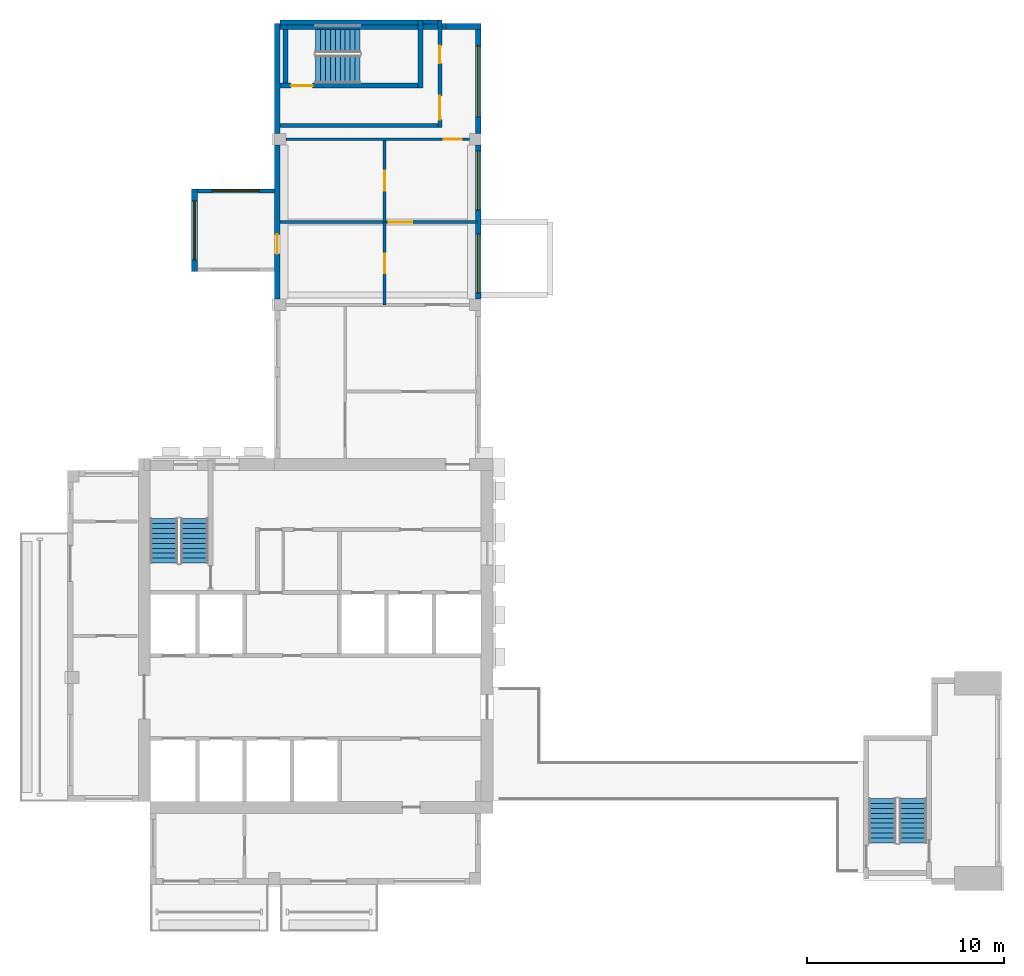
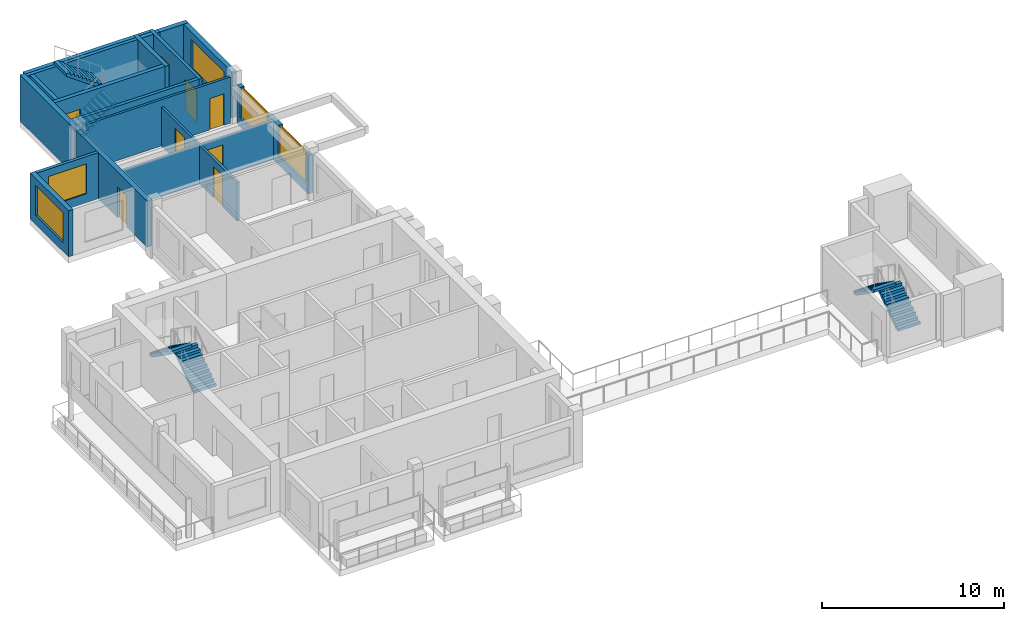
# One storey, part 4 of 8: 19 walls, 8 doors, 6 stair flights, 5 windows, 13 openings, 3 elements without a shape of their own.
"""IFC4 building model written with IfcOpenShell, lengths in metres."""

from ifc_helpers import new_model, si_unit, direction, frame, frame_2d, origin, place, context, subcontext, project, spatial, polyline, rectangle, outline, extrude, source, transform, mapped, material, layer, layer_set, type_object, element, fill, aggregate, save


model = new_model("IFC4")

# Units and contexts
model_context = context("Model", 3, precision=1e-05, world=origin(), true_north=direction((0.0, 1.0)))
body_context = subcontext(model_context, "Body", "Model", "MODEL_VIEW")
ifc_project = project(units=[si_unit("LENGTHUNIT", "METRE"), si_unit("AREAUNIT", "SQUARE_METRE"), si_unit("VOLUMEUNIT", "CUBIC_METRE"), si_unit("PLANEANGLEUNIT", "RADIAN"), si_unit("MASSUNIT", "GRAM", prefix="KILO")], contexts=[model_context])

# Site, building, storey
site_placement = place(None, origin())
site = spatial("IfcSite", under=ifc_project, at=site_placement, CompositionType="ELEMENT")
building_placement = place(site_placement, origin())
building = spatial("IfcBuilding", under=site, at=building_placement, Name="Aurelian Terraces", CompositionType="ELEMENT")
storey_placement = place(building_placement, frame((0.0, 0.0, 347.5)))
storey = spatial("IfcBuildingStorey", under=building, at=storey_placement, Name="L82", CompositionType="ELEMENT", Elevation=347.5)

# Wall, opening, window
ifc_material_1 = material(Name="Concrete fc' 40 MPa", Category="concrete")
ifc_layer_1 = layer(ifc_material_1, 0.2)
ifc_layer_set_1 = layer_set([ifc_layer_1], Name="BOX BEARING WALL 200")
wall_type_1 = type_object("IfcWallType", Name="BOX BEARING WALL 200", PredefinedType="SOLIDWALL", material=ifc_layer_set_1)
shared_shape_1 = source(origin(), body_context, "Body", "SweptSolid", [
    extrude(rectangle(XDim=3.9, YDim=0.2, at=frame_2d((1.95, 0.0))), origin(), (0.0, 0.0, 1.0), 3.09),
])
wall_1_placement = place(storey_placement, frame((10.5, 35.18, 0.0), z_axis=(0.0, 0.0, 1.0), x_axis=(-1.0, 0.0, 0.0)))
wall_1 = element("IfcWall", 1, at=wall_1_placement, inside=storey, type_object=wall_type_1, Name="Box return L82 J95.1", PredefinedType="SOLIDWALL", context=body_context, shape_type="MappedRepresentation", body=[
    mapped(shared_shape_1, transform((0.0, 0.0, 0.0), scale=1.0)),
])
shared_shape_2 = source(origin(), body_context, "Body", "SweptSolid", [
    extrude(rectangle(XDim=2.4, YDim=2.0, at=frame_2d((1.2, 1.0))), frame((0.0, 0.11, 0.0), z_axis=(0.0, -1.0, 0.0), x_axis=(1.0, 0.0, 0.0)), (0.0, 0.0, 1.0), 0.22),
])
opening_1_placement = place(wall_1_placement, frame((0.75, 0.0, 0.6)))
opening_1 = element("IfcOpeningElement", 2, at=opening_1_placement, cuts=wall_1, Name="Opening W2420", PredefinedType="OPENING", context=body_context, shape_type="MappedRepresentation", body=[
    mapped(shared_shape_2, transform((0.0, 0.0, 0.0), scale=1.0)),
])
ifc_material_2 = material(Name="Clear glazing", Category="glass")
window_type_1 = type_object("IfcWindowType", Name="W-2400x2000", PartitioningType="SINGLE_PANEL", PredefinedType="WINDOW", material=ifc_material_2)
shared_shape_3 = source(origin(), body_context, "Body", "SweptSolid", [
    extrude(rectangle(XDim=2.4, YDim=2.0, at=frame_2d((1.2, 1.0))), frame((0.0, 0.03, 0.0), z_axis=(0.0, -1.0, 0.0), x_axis=(1.0, 0.0, 0.0)), (0.0, 0.0, 1.0), 0.06),
])
window_1_placement = place(opening_1_placement, origin())
window_1 = element("IfcWindow", 3, at=window_1_placement, inside=storey, type_object=window_type_1, Name="Window L82 J95-S1", OverallHeight=2.0, OverallWidth=2.4, PartitioningType="SINGLE_PANEL", PredefinedType="WINDOW", context=body_context, shape_type="MappedRepresentation", body=[
    mapped(shared_shape_3, transform((0.0, 0.0, 0.0), scale=1.0)),
])
fill(opening_1, window_1)

# Walls
ifc_material_3 = material(Name="Terracotta rainscreen cladding", Category="masonry")
ifc_layer_2 = layer(ifc_material_3, 0.3)
ifc_layer_set_2 = layer_set([ifc_layer_2], Name="EW-300")
wall_type_2 = type_object("IfcWallType", Name="EW-300", PredefinedType="STANDARD", material=ifc_layer_set_2)
shared_shape_4 = source(origin(), body_context, "Body", "SweptSolid", [
    extrude(rectangle(XDim=1.8, YDim=0.3, at=frame_2d((0.9, 0.0))), origin(), (0.0, 0.0, 1.0), 3.1),
])
wall_2_placement = place(storey_placement, frame((21.0, 43.53, 0.0), z_axis=(0.0, 0.0, 1.0), x_axis=(-1.0, 0.0, 0.0)))
element("IfcWall", 4, at=wall_2_placement, inside=storey, type_object=wall_type_2, Name="External wall L82 F03.10", PredefinedType="STANDARD", context=body_context, shape_type="MappedRepresentation", body=[
    mapped(shared_shape_4, transform((0.0, 0.0, 0.0), scale=1.0)),
])
ifc_layer_3 = layer(ifc_material_1, 0.3)
ifc_layer_set_3 = layer_set([ifc_layer_3], Name="STAIR BAY WALL 300")
wall_type_3 = type_object("IfcWallType", Name="STAIR BAY WALL 300", PredefinedType="SOLIDWALL", material=ifc_layer_set_3)
shared_shape_5 = source(origin(), body_context, "Body", "SweptSolid", [
    extrude(rectangle(XDim=8.6, YDim=0.3, at=frame_2d((4.3, 0.0))), origin(), (0.0, 0.0, 1.0), 3.1),
])
wall_3_placement = place(storey_placement, frame((19.2, 43.53, 0.0), z_axis=(0.0, 0.0, 1.0), x_axis=(-1.0, 0.0, 0.0)))
element("IfcWall", 5, at=wall_3_placement, inside=storey, type_object=wall_type_3, Name="Stair bay wall L82 F03.10", PredefinedType="SOLIDWALL", context=body_context, shape_type="MappedRepresentation", body=[
    mapped(shared_shape_5, transform((0.0, 0.0, 0.0), scale=1.0)),
])

# Wall, opening, door
shared_shape_6 = source(origin(), body_context, "Body", "SweptSolid", [
    extrude(rectangle(XDim=7.8, YDim=0.3, at=frame_2d((3.9, 0.0))), origin(), (0.0, 0.0, 1.0), 3.1),
])
wall_4_placement = place(storey_placement, frame((10.65, 37.5, 0.0), z_axis=(0.0, 0.0, 1.0), x_axis=(0.0, -1.0, 0.0)))
wall_4 = element("IfcWall", 6, at=wall_4_placement, inside=storey, type_object=wall_type_2, Name="External wall L82 F04.11", PredefinedType="STANDARD", context=body_context, shape_type="MappedRepresentation", body=[
    mapped(shared_shape_6, transform((0.0, 0.0, 0.0), scale=1.0)),
])
shared_shape_7 = source(origin(), body_context, "Body", "SweptSolid", [
    extrude(rectangle(XDim=1.0, YDim=2.1, at=frame_2d((0.5, 1.05))), frame((0.0, 0.16, 0.0), z_axis=(0.0, -1.0, 0.0), x_axis=(1.0, 0.0, 0.0)), (0.0, 0.0, 1.0), 0.32),
])
opening_2_placement = place(wall_4_placement, frame((4.52, 0.0, 0.0)))
opening_2 = element("IfcOpeningElement", 7, at=opening_2_placement, cuts=wall_4, Name="Opening 882001", PredefinedType="OPENING", context=body_context, shape_type="MappedRepresentation", body=[
    mapped(shared_shape_7, transform((0.0, 0.0, 0.0), scale=1.0)),
])
ifc_material_4 = material(Name="Timber door leaf", Category="wood")
door_type_1 = type_object("IfcDoorType", Name="Room door 1000x2100 left", OperationType="SINGLE_SWING_LEFT", PredefinedType="DOOR", material=ifc_material_4)
shared_shape_8 = source(origin(), body_context, "Body", "SweptSolid", [
    extrude(rectangle(XDim=1.0, YDim=2.1, at=frame_2d((0.5, 1.05))), frame((0.0, 0.025, 0.0), z_axis=(0.0, -1.0, 0.0), x_axis=(1.0, 0.0, 0.0)), (0.0, 0.0, 1.0), 0.05),
])
door_1_placement = place(opening_2_placement, origin())
door_1 = element("IfcDoor", 8, at=door_1_placement, inside=storey, type_object=door_type_1, Name="Door 882001", OperationType="SINGLE_SWING_LEFT", OverallHeight=2.1, OverallWidth=1.0, PredefinedType="DOOR", context=body_context, shape_type="MappedRepresentation", body=[
    mapped(shared_shape_8, transform((0.0, 0.0, 0.0), scale=1.0)),
])
fill(opening_2, door_1)

# Wall, openings, windows
shared_shape_9 = source(origin(), body_context, "Body", "SweptSolid", [
    extrude(rectangle(XDim=7.8, YDim=0.3, at=frame_2d((3.9, 0.0))), origin(), (0.0, 0.0, 1.0), 2.6),
])
wall_5_placement = place(storey_placement, frame((20.85, 29.7, 0.0), z_axis=(0.0, 0.0, 1.0), x_axis=(0.0, 1.0, 0.0)))
wall_5 = element("IfcWall", 9, at=wall_5_placement, inside=storey, type_object=wall_type_2, Name="External wall L82 F02.8", PredefinedType="STANDARD", context=body_context, shape_type="MappedRepresentation", body=[
    mapped(shared_shape_9, transform((0.0, 0.0, 0.0), scale=1.0)),
])
shared_shape_10 = source(origin(), body_context, "Body", "SweptSolid", [
    extrude(rectangle(XDim=3.0, YDim=2.0, at=frame_2d((1.5, 1.0))), frame((0.0, 0.16, 0.0), z_axis=(0.0, -1.0, 0.0), x_axis=(1.0, 0.0, 0.0)), (0.0, 0.0, 1.0), 0.32),
])
opening_3_placement = place(wall_5_placement, frame((0.3, 0.0, 0.6)))
opening_3 = element("IfcOpeningElement", 10, at=opening_3_placement, cuts=wall_5, Name="Opening W3020", PredefinedType="OPENING", context=body_context, shape_type="MappedRepresentation", body=[
    mapped(shared_shape_10, transform((0.0, 0.0, 0.0), scale=1.0)),
])
opening_4_placement = place(wall_5_placement, frame((4.5, 0.0, 0.6)))
opening_4 = element("IfcOpeningElement", 11, at=opening_4_placement, cuts=wall_5, Name="Opening W3020", PredefinedType="OPENING", context=body_context, shape_type="MappedRepresentation", body=[
    mapped(shared_shape_10, transform((0.0, 0.0, 0.0), scale=1.0)),
])
window_type_2 = type_object("IfcWindowType", Name="W-3000x2000", PartitioningType="SINGLE_PANEL", PredefinedType="WINDOW", material=ifc_material_2)
shared_shape_11 = source(origin(), body_context, "Body", "SweptSolid", [
    extrude(rectangle(XDim=3.0, YDim=2.0, at=frame_2d((1.5, 1.0))), frame((0.0, 0.03, 0.0), z_axis=(0.0, -1.0, 0.0), x_axis=(1.0, 0.0, 0.0)), (0.0, 0.0, 1.0), 0.06),
])
window_2_placement = place(opening_3_placement, origin())
window_2 = element("IfcWindow", 12, at=window_2_placement, inside=storey, type_object=window_type_2, Name="Window L82 L82-F02-08-0", OverallHeight=2.0, OverallWidth=3.0, PartitioningType="SINGLE_PANEL", PredefinedType="WINDOW", context=body_context, shape_type="MappedRepresentation", body=[
    mapped(shared_shape_11, transform((0.0, 0.0, 0.0), scale=1.0)),
])
fill(opening_3, window_2)
window_3_placement = place(opening_4_placement, origin())
window_3 = element("IfcWindow", 13, at=window_3_placement, inside=storey, type_object=window_type_2, Name="Window L82 L82-F02-08-1", OverallHeight=2.0, OverallWidth=3.0, PartitioningType="SINGLE_PANEL", PredefinedType="WINDOW", context=body_context, shape_type="MappedRepresentation", body=[
    mapped(shared_shape_11, transform((0.0, 0.0, 0.0), scale=1.0)),
])
fill(opening_4, window_3)

# Wall, opening, window
shared_shape_12 = source(origin(), body_context, "Body", "SweptSolid", [
    extrude(rectangle(XDim=5.58, YDim=0.3, at=frame_2d((2.79, 0.0))), origin(), (0.0, 0.0, 1.0), 3.1),
])
wall_6_placement = place(storey_placement, frame((20.85, 38.1, 0.0), z_axis=(0.0, 0.0, 1.0), x_axis=(0.0, 1.0, 0.0)))
wall_6 = element("IfcWall", 14, at=wall_6_placement, inside=storey, type_object=wall_type_2, Name="External wall L82 F02.9", PredefinedType="STANDARD", context=body_context, shape_type="MappedRepresentation", body=[
    mapped(shared_shape_12, transform((0.0, 0.0, 0.0), scale=1.0)),
])
shared_shape_13 = source(origin(), body_context, "Body", "SweptSolid", [
    extrude(rectangle(XDim=3.6, YDim=2.0, at=frame_2d((1.8, 1.0))), frame((0.0, 0.16, 0.0), z_axis=(0.0, -1.0, 0.0), x_axis=(1.0, 0.0, 0.0)), (0.0, 0.0, 1.0), 0.32),
])
opening_5_placement = place(wall_6_placement, frame((0.84, 0.0, 0.6)))
opening_5 = element("IfcOpeningElement", 15, at=opening_5_placement, cuts=wall_6, Name="Opening W3620", PredefinedType="OPENING", context=body_context, shape_type="MappedRepresentation", body=[
    mapped(shared_shape_13, transform((0.0, 0.0, 0.0), scale=1.0)),
])
window_type_3 = type_object("IfcWindowType", Name="W-3600x2000", PartitioningType="SINGLE_PANEL", PredefinedType="WINDOW", material=ifc_material_2)
shared_shape_14 = source(origin(), body_context, "Body", "SweptSolid", [
    extrude(rectangle(XDim=3.6, YDim=2.0, at=frame_2d((1.8, 1.0))), frame((0.0, 0.03, 0.0), z_axis=(0.0, -1.0, 0.0), x_axis=(1.0, 0.0, 0.0)), (0.0, 0.0, 1.0), 0.06),
])
window_4_placement = place(opening_5_placement, origin())
window_4 = element("IfcWindow", 16, at=window_4_placement, inside=storey, type_object=window_type_3, Name="Window L82 L82-F02-09-0", OverallHeight=2.0, OverallWidth=3.6, PartitioningType="SINGLE_PANEL", PredefinedType="WINDOW", context=body_context, shape_type="MappedRepresentation", body=[
    mapped(shared_shape_14, transform((0.0, 0.0, 0.0), scale=1.0)),
])
fill(opening_5, window_4)

# Wall
shared_shape_15 = source(origin(), body_context, "Body", "SweptSolid", [
    extrude(rectangle(XDim=5.58, YDim=0.3, at=frame_2d((2.79, 0.0))), origin(), (0.0, 0.0, 1.0), 3.1),
])
wall_7_placement = place(storey_placement, frame((10.65, 43.68, 0.0), z_axis=(0.0, 0.0, 1.0), x_axis=(0.0, -1.0, 0.0)))
element("IfcWall", 17, at=wall_7_placement, inside=storey, type_object=wall_type_3, Name="Stair bay wall L82 F04.11", PredefinedType="SOLIDWALL", context=body_context, shape_type="MappedRepresentation", body=[
    mapped(shared_shape_15, transform((0.0, 0.0, 0.0), scale=1.0)),
])

# Wall, opening, window
ifc_layer_4 = layer(ifc_material_1, 0.3)
ifc_layer_set_4 = layer_set([ifc_layer_4], Name="BOX BEARING WALL 300")
wall_type_4 = type_object("IfcWallType", Name="BOX BEARING WALL 300", PredefinedType="SOLIDWALL", material=ifc_layer_set_4)
shared_shape_16 = source(origin(), body_context, "Body", "SweptSolid", [
    extrude(rectangle(XDim=4.2, YDim=0.3, at=frame_2d((2.1, 0.0))), origin(), (0.0, 0.0, 1.0), 3.09),
])
wall_8_placement = place(storey_placement, frame((6.45, 35.28, 0.0), z_axis=(0.0, 0.0, 1.0), x_axis=(0.0, -1.0, 0.0)))
wall_8 = element("IfcWall", 18, at=wall_8_placement, inside=storey, type_object=wall_type_4, Name="Box wall L82 J95", PredefinedType="SOLIDWALL", context=body_context, shape_type="MappedRepresentation", body=[
    mapped(shared_shape_16, transform((0.0, 0.0, 0.0), scale=1.0)),
])
opening_6_placement = place(wall_8_placement, frame((0.6, 0.0, 0.6)))
opening_6 = element("IfcOpeningElement", 19, at=opening_6_placement, cuts=wall_8, Name="Opening W3020", PredefinedType="OPENING", context=body_context, shape_type="MappedRepresentation", body=[
    mapped(shared_shape_10, transform((0.0, 0.0, 0.0), scale=1.0)),
])
window_5_placement = place(opening_6_placement, origin())
window_5 = element("IfcWindow", 20, at=window_5_placement, inside=storey, type_object=window_type_2, Name="Window L82 J95-F1", OverallHeight=2.0, OverallWidth=3.0, PartitioningType="SINGLE_PANEL", PredefinedType="WINDOW", context=body_context, shape_type="MappedRepresentation", body=[
    mapped(shared_shape_11, transform((0.0, 0.0, 0.0), scale=1.0)),
])
fill(opening_6, window_5)

# Wall, opening, door
ifc_layer_5 = layer(ifc_material_1, 0.25)
ifc_layer_set_5 = layer_set([ifc_layer_5], Name="Stair enclosure wall 250")
wall_type_5 = type_object("IfcWallType", Name="Stair enclosure wall 250", PredefinedType="SOLIDWALL", material=ifc_layer_set_5)
shared_shape_17 = source(origin(), body_context, "Body", "SweptSolid", [
    extrude(rectangle(XDim=7.0, YDim=0.25, at=frame_2d((3.5, 0.0))), origin(), (0.0, 0.0, 1.0), 3.1),
])
wall_9_placement = place(storey_placement, frame((10.8, 40.525, 0.0), z_axis=(0.0, 0.0, 1.0), x_axis=(1.0, 0.0, 0.0)))
wall_9 = element("IfcWall", 21, at=wall_9_placement, inside=storey, type_object=wall_type_5, Name="L82 core wall ST-S3U-W", PredefinedType="SOLIDWALL", context=body_context, shape_type="MappedRepresentation", body=[
    mapped(shared_shape_17, transform((0.0, 0.0, 0.0), scale=1.0)),
])
shared_shape_18 = source(origin(), body_context, "Body", "SweptSolid", [
    extrude(rectangle(XDim=1.1, YDim=2.1, at=frame_2d((0.55, 1.05))), frame((0.0, 0.135, 0.0), z_axis=(0.0, -1.0, 0.0), x_axis=(1.0, 0.0, 0.0)), (0.0, 0.0, 1.0), 0.27),
])
opening_7_placement = place(wall_9_placement, frame((0.55, 0.0, 0.0)))
opening_7 = element("IfcOpeningElement", 22, at=opening_7_placement, cuts=wall_9, Name="Opening 68518", PredefinedType="OPENING", context=body_context, shape_type="MappedRepresentation", body=[
    mapped(shared_shape_18, transform((0.0, 0.0, 0.0), scale=1.0)),
])
ifc_material_5 = material(Name="Steel door leaf", Category="steel")
door_type_2 = type_object("IfcDoorType", Name="Core fire door 1100x2100 right", OperationType="SINGLE_SWING_RIGHT", PredefinedType="DOOR", material=ifc_material_5)
shared_shape_19 = source(origin(), body_context, "Body", "SweptSolid", [
    extrude(rectangle(XDim=1.1, YDim=2.1, at=frame_2d((0.55, 1.05))), frame((0.0, 0.025, 0.0), z_axis=(0.0, -1.0, 0.0), x_axis=(1.0, 0.0, 0.0)), (0.0, 0.0, 1.0), 0.05),
])
door_2_placement = place(opening_7_placement, origin())
door_2 = element("IfcDoor", 23, at=door_2_placement, inside=storey, type_object=door_type_2, Name="Stair door 68518", OperationType="SINGLE_SWING_RIGHT", OverallHeight=2.1, OverallWidth=1.1, PredefinedType="DOOR", context=body_context, shape_type="MappedRepresentation", body=[
    mapped(shared_shape_19, transform((0.0, 0.0, 0.0), scale=1.0)),
])
fill(opening_7, door_2)

# Walls
wall_10_placement = place(storey_placement, frame((10.8, 43.725, 0.0), z_axis=(0.0, 0.0, 1.0), x_axis=(1.0, 0.0, 0.0)))
element("IfcWall", 24, at=wall_10_placement, inside=storey, type_object=wall_type_5, Name="L82 core wall ST-S3U-E", PredefinedType="SOLIDWALL", context=body_context, shape_type="MappedRepresentation", body=[
    mapped(shared_shape_17, transform((0.0, 0.0, 0.0), scale=1.0)),
])
shared_shape_20 = source(origin(), body_context, "Body", "SweptSolid", [
    extrude(rectangle(XDim=3.45, YDim=0.25, at=frame_2d((1.725, 0.0))), origin(), (0.0, 0.0, 1.0), 3.1),
])
wall_11_placement = place(storey_placement, frame((17.925, 40.4, 0.0), z_axis=(0.0, 0.0, 1.0), x_axis=(0.0, 1.0, 0.0)))
element("IfcWall", 25, at=wall_11_placement, inside=storey, type_object=wall_type_5, Name="L82 core wall ST-S3U-N", PredefinedType="SOLIDWALL", context=body_context, shape_type="MappedRepresentation", body=[
    mapped(shared_shape_20, transform((0.0, 0.0, 0.0), scale=1.0)),
])
ifc_material_6 = material(Name="Gypsum board on steel studs", Category="steel")
ifc_layer_6 = layer(ifc_material_6, 0.2)
ifc_layer_set_6 = layer_set([ifc_layer_6], Name="Core partition 200")
wall_type_6 = type_object("IfcWallType", Name="Core partition 200", PredefinedType="PARTITIONING", material=ifc_layer_set_6)
shared_shape_21 = source(origin(), body_context, "Body", "SweptSolid", [
    extrude(rectangle(XDim=8.0, YDim=0.2, at=frame_2d((4.0, 0.0))), origin(), (0.0, 0.0, 1.0), 3.1),
])
wall_12_placement = place(storey_placement, frame((10.8, 38.5, 0.0), z_axis=(0.0, 0.0, 1.0), x_axis=(1.0, 0.0, 0.0)))
element("IfcWall", 26, at=wall_12_placement, inside=storey, type_object=wall_type_6, Name="L82 core wall ST-S3U-VW", PredefinedType="PARTITIONING", context=body_context, shape_type="MappedRepresentation", body=[
    mapped(shared_shape_21, transform((0.0, 0.0, 0.0), scale=1.0)),
])

# Wall, openings, doors
shared_shape_22 = source(origin(), body_context, "Body", "SweptSolid", [
    extrude(rectangle(XDim=5.45, YDim=0.2, at=frame_2d((2.725, 0.0))), origin(), (0.0, 0.0, 1.0), 3.1),
])
wall_13_placement = place(storey_placement, frame((18.9, 38.4, 0.0), z_axis=(0.0, 0.0, 1.0), x_axis=(0.0, 1.0, 0.0)))
wall_13 = element("IfcWall", 27, at=wall_13_placement, inside=storey, type_object=wall_type_6, Name="L82 core wall ST-S3U-BN", PredefinedType="PARTITIONING", context=body_context, shape_type="MappedRepresentation", body=[
    mapped(shared_shape_22, transform((0.0, 0.0, 0.0), scale=1.0)),
])
shared_shape_23 = source(origin(), body_context, "Body", "SweptSolid", [
    extrude(rectangle(XDim=1.2, YDim=2.1, at=frame_2d((0.6, 1.05))), frame((0.0, 0.11, 0.0), z_axis=(0.0, -1.0, 0.0), x_axis=(1.0, 0.0, 0.0)), (0.0, 0.0, 1.0), 0.22),
])
opening_8_placement = place(wall_13_placement, frame((0.4, 0.0, 0.0)))
opening_8 = element("IfcOpeningElement", 28, at=opening_8_placement, cuts=wall_13, Name="Opening 68519", PredefinedType="OPENING", context=body_context, shape_type="MappedRepresentation", body=[
    mapped(shared_shape_23, transform((0.0, 0.0, 0.0), scale=1.0)),
])
shared_shape_24 = source(origin(), body_context, "Body", "SweptSolid", [
    extrude(rectangle(XDim=0.9, YDim=2.1, at=frame_2d((0.45, 1.05))), frame((0.0, 0.11, 0.0), z_axis=(0.0, -1.0, 0.0), x_axis=(1.0, 0.0, 0.0)), (0.0, 0.0, 1.0), 0.22),
])
opening_9_placement = place(wall_13_placement, frame((3.25, 0.0, 0.0)))
opening_9 = element("IfcOpeningElement", 29, at=opening_9_placement, cuts=wall_13, Name="Opening 68520", PredefinedType="OPENING", context=body_context, shape_type="MappedRepresentation", body=[
    mapped(shared_shape_24, transform((0.0, 0.0, 0.0), scale=1.0)),
])
door_type_3 = type_object("IfcDoorType", Name="Core riser door 900x2100 right", OperationType="SINGLE_SWING_RIGHT", PredefinedType="DOOR", material=ifc_material_5)
shared_shape_25 = source(origin(), body_context, "Body", "SweptSolid", [
    extrude(rectangle(XDim=0.9, YDim=2.1, at=frame_2d((0.45, 1.05))), frame((0.0, 0.025, 0.0), z_axis=(0.0, -1.0, 0.0), x_axis=(1.0, 0.0, 0.0)), (0.0, 0.0, 1.0), 0.05),
])
door_3_placement = place(opening_9_placement, origin())
door_3 = element("IfcDoor", 30, at=door_3_placement, inside=storey, type_object=door_type_3, Name="Riser door 68520", OperationType="SINGLE_SWING_RIGHT", OverallHeight=2.1, OverallWidth=0.9, PredefinedType="DOOR", context=body_context, shape_type="MappedRepresentation", body=[
    mapped(shared_shape_25, transform((0.0, 0.0, 0.0), scale=1.0)),
])
fill(opening_9, door_3)
door_type_4 = type_object("IfcDoorType", Name="Core fire door 1200x2100", OperationType="SINGLE_SWING_LEFT", PredefinedType="DOOR", material=ifc_material_5)
shared_shape_26 = source(origin(), body_context, "Body", "SweptSolid", [
    extrude(rectangle(XDim=1.2, YDim=2.1, at=frame_2d((0.6, 1.05))), frame((0.0, 0.025, 0.0), z_axis=(0.0, -1.0, 0.0), x_axis=(1.0, 0.0, 0.0)), (0.0, 0.0, 1.0), 0.05),
])
door_4_placement = place(opening_8_placement, origin())
door_4 = element("IfcDoor", 31, at=door_4_placement, inside=storey, type_object=door_type_4, Name="Vestibule door 68519", OperationType="SINGLE_SWING_LEFT", OverallHeight=2.1, OverallWidth=1.2, PredefinedType="DOOR", context=body_context, shape_type="MappedRepresentation", body=[
    mapped(shared_shape_26, transform((0.0, 0.0, 0.0), scale=1.0)),
])
fill(opening_8, door_4)

# Walls
shared_shape_27 = source(origin(), body_context, "Body", "SweptSolid", [
    extrude(rectangle(XDim=0.75, YDim=0.2, at=frame_2d((0.375, 0.0))), origin(), (0.0, 0.0, 1.0), 3.1),
])
wall_14_placement = place(storey_placement, frame((18.05, 43.75, 0.0), z_axis=(0.0, 0.0, 1.0), x_axis=(1.0, 0.0, 0.0)))
element("IfcWall", 32, at=wall_14_placement, inside=storey, type_object=wall_type_6, Name="L82 core wall ST-S3U-RE", PredefinedType="PARTITIONING", context=body_context, shape_type="MappedRepresentation", body=[
    mapped(shared_shape_27, transform((0.0, 0.0, 0.0), scale=1.0)),
])
shared_shape_28 = source(origin(), body_context, "Body", "SweptSolid", [
    extrude(rectangle(XDim=2.73, YDim=0.25, at=frame_2d((1.365, 0.0))), origin(), (0.0, 0.0, 1.0), 3.1),
])
wall_15_placement = place(storey_placement, frame((11.075, 40.65, 0.0), z_axis=(0.0, 0.0, 1.0), x_axis=(0.0, 1.0, 0.0)))
element("IfcWall", 33, at=wall_15_placement, inside=storey, type_object=wall_type_5, Name="L82 core wall ST-S3U-SS", PredefinedType="SOLIDWALL", context=body_context, shape_type="MappedRepresentation", body=[
    mapped(shared_shape_28, transform((0.0, 0.0, 0.0), scale=1.0)),
])

# Wall, opening, door
ifc_layer_7 = layer(ifc_material_6, 0.15)
ifc_layer_set_7 = layer_set([ifc_layer_7], Name="Partition 150")
wall_type_7 = type_object("IfcWallType", Name="Partition 150", PredefinedType="PARTITIONING", material=ifc_layer_set_7)
shared_shape_29 = source(origin(), body_context, "Body", "SweptSolid", [
    extrude(rectangle(XDim=9.302, YDim=0.15, at=frame_2d((4.651, 0.0))), origin(), (0.0, 0.0, 1.0), 3.1),
])
wall_16_placement = place(storey_placement, frame((20.401, 37.8, 0.0), z_axis=(0.0, 0.0, 1.0), x_axis=(-1.0, 0.0, 0.0)))
wall_16 = element("IfcWall", 34, at=wall_16_placement, inside=storey, type_object=wall_type_7, Name="Partition", PredefinedType="PARTITIONING", context=body_context, shape_type="MappedRepresentation", body=[
    mapped(shared_shape_29, transform((0.0, 0.0, 0.0), scale=1.0)),
])
shared_shape_30 = source(origin(), body_context, "Body", "SweptSolid", [
    extrude(rectangle(XDim=0.9, YDim=2.1, at=frame_2d((0.45, 1.05))), frame((0.0, 0.085, 0.0), z_axis=(0.0, -1.0, 0.0), x_axis=(1.0, 0.0, 0.0)), (0.0, 0.0, 1.0), 0.17),
])
opening_10_placement = place(wall_16_placement, frame((0.401, 0.0, 0.0)))
opening_10 = element("IfcOpeningElement", 35, at=opening_10_placement, cuts=wall_16, Name="Opening 782010", PredefinedType="OPENING", context=body_context, shape_type="MappedRepresentation", body=[
    mapped(shared_shape_30, transform((0.0, 0.0, 0.0), scale=1.0)),
])
door_type_5 = type_object("IfcDoorType", Name="Room door 900x2100 left", OperationType="SINGLE_SWING_LEFT", PredefinedType="DOOR", material=ifc_material_4)
door_5_placement = place(opening_10_placement, origin())
door_5 = element("IfcDoor", 36, at=door_5_placement, inside=storey, type_object=door_type_5, Name="Door 782010", OperationType="SINGLE_SWING_LEFT", OverallHeight=2.1, OverallWidth=0.9, PredefinedType="DOOR", context=body_context, shape_type="MappedRepresentation", body=[
    mapped(shared_shape_25, transform((0.0, 0.0, 0.0), scale=1.0)),
])
fill(opening_10, door_5)

shared_shape_31 = source(origin(), body_context, "Body", "SweptSolid", [
    extrude(rectangle(XDim=4.2, YDim=0.15, at=frame_2d((2.1, 0.0))), origin(), (0.0, 0.0, 1.0), 2.6),
])
wall_17_placement = place(storey_placement, frame((16.1, 33.6, 0.0), z_axis=(0.0, 0.0, 1.0), x_axis=(0.0, -1.0, 0.0)))
wall_17 = element("IfcWall", 37, at=wall_17_placement, inside=storey, type_object=wall_type_7, Name="Partition", PredefinedType="PARTITIONING", context=body_context, shape_type="MappedRepresentation", body=[
    mapped(shared_shape_31, transform((0.0, 0.0, 0.0), scale=1.0)),
])
shared_shape_32 = source(origin(), body_context, "Body", "SweptSolid", [
    extrude(rectangle(XDim=1.0, YDim=2.1, at=frame_2d((0.5, 1.05))), frame((0.0, 0.085, 0.0), z_axis=(0.0, -1.0, 0.0), x_axis=(1.0, 0.0, 0.0)), (0.0, 0.0, 1.0), 0.17),
])
opening_11_placement = place(wall_17_placement, frame((1.6, 0.0, 0.0)))
opening_11 = element("IfcOpeningElement", 38, at=opening_11_placement, cuts=wall_17, Name="Opening 782005", PredefinedType="OPENING", context=body_context, shape_type="MappedRepresentation", body=[
    mapped(shared_shape_32, transform((0.0, 0.0, 0.0), scale=1.0)),
])
door_6_placement = place(opening_11_placement, origin())
door_6 = element("IfcDoor", 39, at=door_6_placement, inside=storey, type_object=door_type_1, Name="Door 782005", OperationType="SINGLE_SWING_LEFT", OverallHeight=2.1, OverallWidth=1.0, PredefinedType="DOOR", context=body_context, shape_type="MappedRepresentation", body=[
    mapped(shared_shape_8, transform((0.0, 0.0, 0.0), scale=1.0)),
])
fill(opening_11, door_6)

shared_shape_33 = source(origin(), body_context, "Body", "SweptSolid", [
    extrude(rectangle(XDim=4.105, YDim=0.15, at=frame_2d((2.0525, 0.0))), origin(), (0.0, 0.0, 1.0), 2.6),
])
wall_18_placement = place(storey_placement, frame((16.1, 37.725, 0.0), z_axis=(0.0, 0.0, 1.0), x_axis=(0.0, -1.0, 0.0)))
wall_18 = element("IfcWall", 40, at=wall_18_placement, inside=storey, type_object=wall_type_7, Name="Partition", PredefinedType="PARTITIONING", context=body_context, shape_type="MappedRepresentation", body=[
    mapped(shared_shape_33, transform((0.0, 0.0, 0.0), scale=1.0)),
])
opening_12_placement = place(wall_18_placement, frame((1.525, 0.0, 0.0)))
opening_12 = element("IfcOpeningElement", 41, at=opening_12_placement, cuts=wall_18, Name="Opening 782006", PredefinedType="OPENING", context=body_context, shape_type="MappedRepresentation", body=[
    mapped(shared_shape_32, transform((0.0, 0.0, 0.0), scale=1.0)),
])
door_type_6 = type_object("IfcDoorType", Name="Room door 1000x2100 right", OperationType="SINGLE_SWING_RIGHT", PredefinedType="DOOR", material=ifc_material_4)
door_7_placement = place(opening_12_placement, origin())
door_7 = element("IfcDoor", 42, at=door_7_placement, inside=storey, type_object=door_type_6, Name="Door 782006", OperationType="SINGLE_SWING_RIGHT", OverallHeight=2.1, OverallWidth=1.0, PredefinedType="DOOR", context=body_context, shape_type="MappedRepresentation", body=[
    mapped(shared_shape_8, transform((0.0, 0.0, 0.0), scale=1.0)),
])
fill(opening_12, door_7)

shared_shape_34 = source(origin(), body_context, "Body", "SweptSolid", [
    extrude(rectangle(XDim=9.995, YDim=0.15, at=frame_2d((4.9975, 0.0))), origin(), (0.0, 0.0, 1.0), 2.6),
])
wall_19_placement = place(storey_placement, frame((10.8, 33.6, 0.0), z_axis=(0.0, 0.0, 1.0), x_axis=(1.0, 0.0, 0.0)))
wall_19 = element("IfcWall", 43, at=wall_19_placement, inside=storey, type_object=wall_type_7, Name="Partition", PredefinedType="PARTITIONING", context=body_context, shape_type="MappedRepresentation", body=[
    mapped(shared_shape_34, transform((0.0, 0.0, 0.0), scale=1.0)),
])
shared_shape_35 = source(origin(), body_context, "Body", "SweptSolid", [
    extrude(rectangle(XDim=1.2, YDim=2.1, at=frame_2d((0.6, 1.05))), frame((0.0, 0.085, 0.0), z_axis=(0.0, -1.0, 0.0), x_axis=(1.0, 0.0, 0.0)), (0.0, 0.0, 1.0), 0.17),
])
opening_13_placement = place(wall_19_placement, frame((5.5, 0.0, 0.0)))
opening_13 = element("IfcOpeningElement", 44, at=opening_13_placement, cuts=wall_19, Name="Opening 782008", PredefinedType="OPENING", context=body_context, shape_type="MappedRepresentation", body=[
    mapped(shared_shape_35, transform((0.0, 0.0, 0.0), scale=1.0)),
])
door_type_7 = type_object("IfcDoorType", Name="Room door 1200x2100 left", OperationType="SINGLE_SWING_LEFT", PredefinedType="DOOR", material=ifc_material_4)
door_8_placement = place(opening_13_placement, origin())
door_8 = element("IfcDoor", 45, at=door_8_placement, inside=storey, type_object=door_type_7, Name="Door 782008", OperationType="SINGLE_SWING_LEFT", OverallHeight=2.1, OverallWidth=1.2, PredefinedType="DOOR", context=body_context, shape_type="MappedRepresentation", body=[
    mapped(shared_shape_26, transform((0.0, 0.0, 0.0), scale=1.0)),
])
fill(opening_13, door_8)

# Stair, stair flights
stair_type = type_object("IfcStairType", Name="Stair 1400", PredefinedType="HALF_TURN_STAIR", material=ifc_material_1)
stair_1_placement = place(storey_placement, origin())
stair_1 = element("IfcStair", 46, at=stair_1_placement, inside=storey, type_object=stair_type, Name="L82 S1", PredefinedType="HALF_TURN_STAIR")
stair_flight_type = type_object("IfcStairFlightType", Name="Stair flight 1400", PredefinedType="STRAIGHT", material=ifc_material_1)
shared_shape_36 = source(origin(), body_context, "Body", "SweptSolid", [
    extrude(outline(polyline([(0.0, 0.0), (0.0, 0.175), (0.25, 0.175), (0.25, 0.35), (0.5, 0.35), (0.5, 0.525), (0.75, 0.525), (0.75, 0.7), (1.0, 0.7), (1.0, 0.875), (1.25, 0.875), (1.25, 1.05), (1.5, 1.05), (1.5, 1.225), (1.75, 1.225), (1.75, 1.4), (2.0, 1.4), (2.0, 1.575), (2.25, 1.575), (2.25, 1.75), (2.25, 1.3919), (0.2616, 0.0), (0.0, 0.0)])), frame((0.0, 0.7, 0.0), z_axis=(0.0, -1.0, 0.0), x_axis=(1.0, 0.0, 0.0)), (0.0, 0.0, 1.0), 1.4),
])
stair_flight_1_placement = place(storey_placement, frame((6.45, 16.3, 2e-08), z_axis=(0.0, 0.0, 1.0), x_axis=(0.0, 1.0, 0.0)))
stair_flight_1 = element("IfcStairFlight", 47, at=stair_flight_1_placement, type_object=stair_flight_type, Name="S1 flight 1", NumberOfRisers=10, NumberOfTreads=9, PredefinedType="STRAIGHT", RiserHeight=0.175, TreadLength=0.25, context=body_context, shape_type="MappedRepresentation", body=[
    mapped(shared_shape_36, transform((0.0, 0.0, 0.0), scale=1.0)),
])
stair_flight_2_placement = place(storey_placement, frame((4.9, 18.55, 1.75000002), z_axis=(0.0, 0.0, 1.0), x_axis=(0.0, -1.0, 0.0)))
stair_flight_2 = element("IfcStairFlight", 48, at=stair_flight_2_placement, type_object=stair_flight_type, Name="S1 flight 2", NumberOfRisers=10, NumberOfTreads=9, PredefinedType="STRAIGHT", RiserHeight=0.175, TreadLength=0.25, context=body_context, shape_type="MappedRepresentation", body=[
    mapped(shared_shape_36, transform((0.0, 0.0, 0.0), scale=1.0)),
])
aggregate(stair_1, [stair_flight_1, stair_flight_2])

stair_2_placement = place(storey_placement, origin())
stair_2 = element("IfcStair", 49, at=stair_2_placement, inside=storey, type_object=stair_type, Name="L82 S2", PredefinedType="HALF_TURN_STAIR")
stair_flight_3_placement = place(storey_placement, frame((42.9, 2.1, 2e-08), z_axis=(0.0, 0.0, 1.0), x_axis=(0.0, 1.0, 0.0)))
stair_flight_3 = element("IfcStairFlight", 50, at=stair_flight_3_placement, type_object=stair_flight_type, Name="S2 flight 1", NumberOfRisers=10, NumberOfTreads=9, PredefinedType="STRAIGHT", RiserHeight=0.175, TreadLength=0.25, context=body_context, shape_type="MappedRepresentation", body=[
    mapped(shared_shape_36, transform((0.0, 0.0, 0.0), scale=1.0)),
])
stair_flight_4_placement = place(storey_placement, frame((41.35, 4.35, 1.75000002), z_axis=(0.0, 0.0, 1.0), x_axis=(0.0, -1.0, 0.0)))
stair_flight_4 = element("IfcStairFlight", 51, at=stair_flight_4_placement, type_object=stair_flight_type, Name="S2 flight 2", NumberOfRisers=10, NumberOfTreads=9, PredefinedType="STRAIGHT", RiserHeight=0.175, TreadLength=0.25, context=body_context, shape_type="MappedRepresentation", body=[
    mapped(shared_shape_36, transform((0.0, 0.0, 0.0), scale=1.0)),
])
aggregate(stair_2, [stair_flight_3, stair_flight_4])

stair_3_placement = place(storey_placement, origin())
stair_3 = element("IfcStair", 52, at=stair_3_placement, inside=storey, type_object=stair_type, Name="L82 S3U", PredefinedType="HALF_TURN_STAIR")
stair_flight_5_placement = place(storey_placement, frame((12.6, 41.35, 2e-08), z_axis=(0.0, 0.0, 1.0), x_axis=(1.0, 0.0, 0.0)))
stair_flight_5 = element("IfcStairFlight", 53, at=stair_flight_5_placement, type_object=stair_flight_type, Name="S3U flight 1", NumberOfRisers=10, NumberOfTreads=9, PredefinedType="STRAIGHT", RiserHeight=0.175, TreadLength=0.25, context=body_context, shape_type="MappedRepresentation", body=[
    mapped(shared_shape_36, transform((0.0, 0.0, 0.0), scale=1.0)),
])
stair_flight_6_placement = place(storey_placement, frame((14.85, 42.9, 1.75000002), z_axis=(0.0, 0.0, 1.0), x_axis=(-1.0, 0.0, 0.0)))
stair_flight_6 = element("IfcStairFlight", 54, at=stair_flight_6_placement, type_object=stair_flight_type, Name="S3U flight 2", NumberOfRisers=10, NumberOfTreads=9, PredefinedType="STRAIGHT", RiserHeight=0.175, TreadLength=0.25, context=body_context, shape_type="MappedRepresentation", body=[
    mapped(shared_shape_36, transform((0.0, 0.0, 0.0), scale=1.0)),
])
aggregate(stair_3, [stair_flight_5, stair_flight_6])

save(model, "model.ifc")
